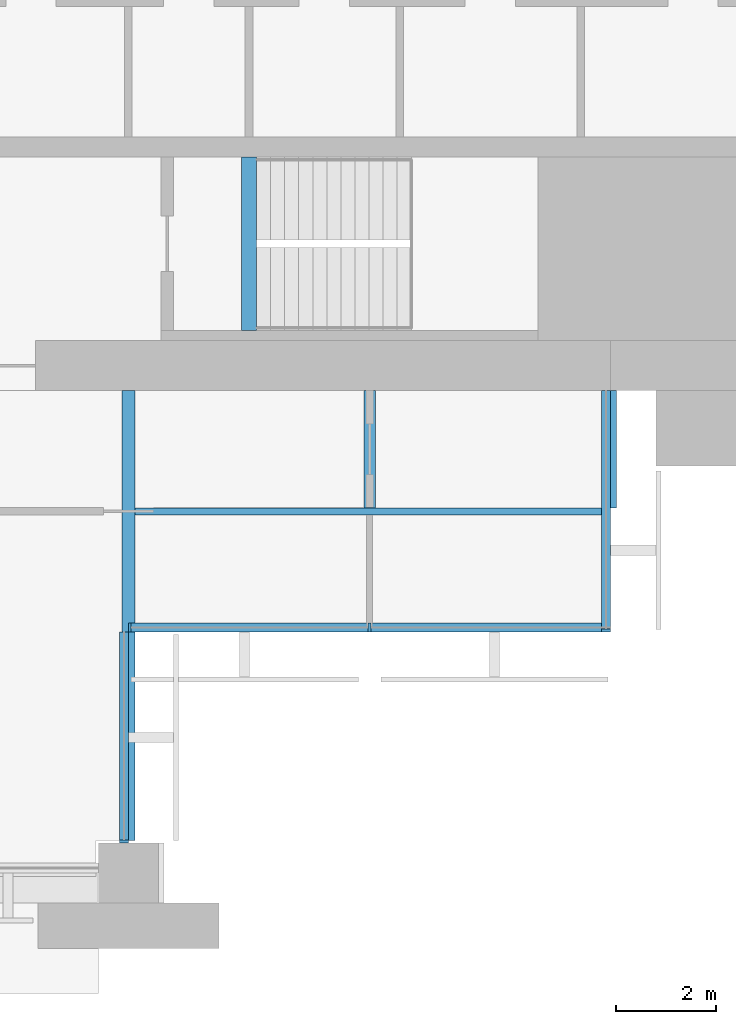
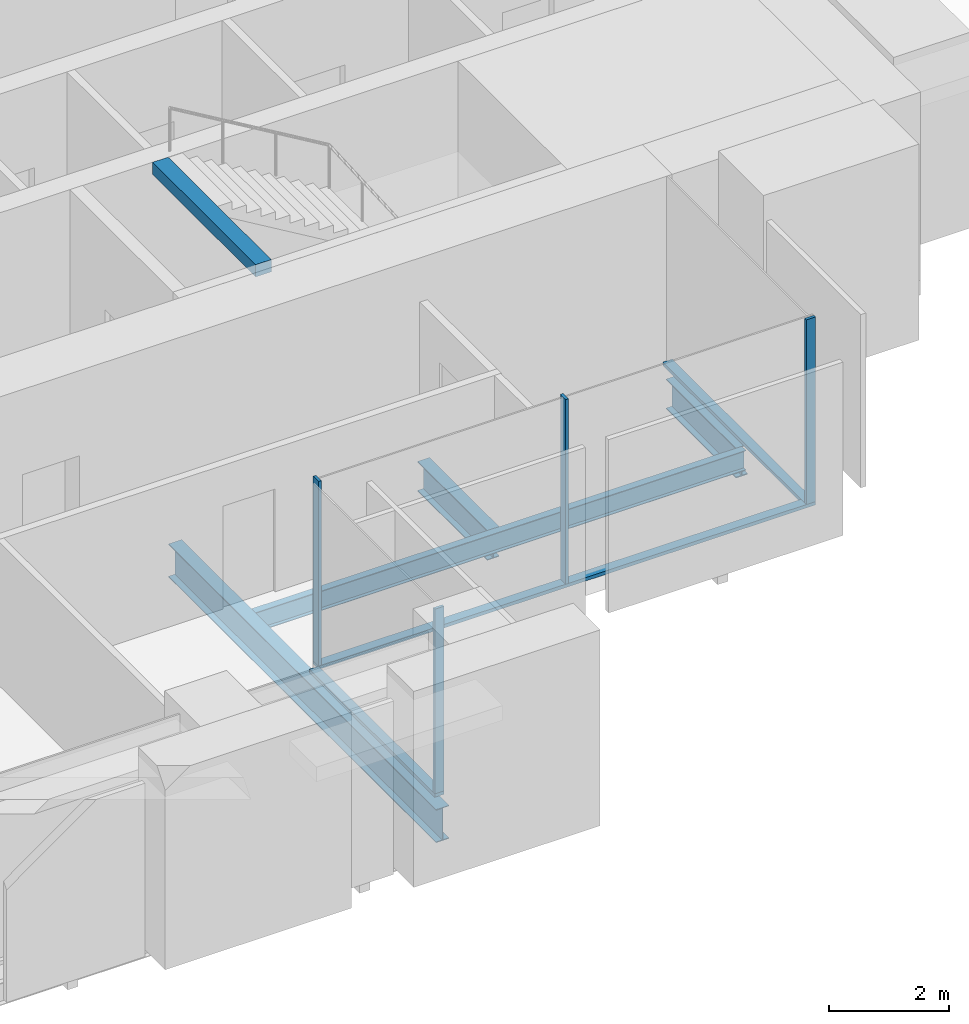
# One storey, part 4 of 15: 7 members, 5 beams, 3 elements without a shape of their own.
"""IFC4 building model written with IfcOpenShell, lengths in metres."""

from ifc_helpers import new_model, si_unit, direction, frame, origin, origin_2d, place, context, subcontext, project, spatial, rectangle, i_section, extrude, material, material_profile, profile_set, type_object, element, aggregate, save


model = new_model("IFC4")

# Units and contexts
model_context = context("Model", 3, precision=1e-05, world=origin(), true_north=direction((0.0, 1.0)))
body_context = subcontext(model_context, "Body", "Model", "MODEL_VIEW")
ifc_project = project(units=[si_unit("LENGTHUNIT", "METRE"), si_unit("AREAUNIT", "SQUARE_METRE"), si_unit("VOLUMEUNIT", "CUBIC_METRE"), si_unit("PLANEANGLEUNIT", "RADIAN"), si_unit("MASSUNIT", "GRAM", prefix="KILO")], contexts=[model_context])

# Site, building, storey
site_placement = place(None, origin())
site = spatial("IfcSite", under=ifc_project, at=site_placement, CompositionType="ELEMENT")
building_placement = place(site_placement, origin())
building = spatial("IfcBuilding", under=site, at=building_placement, Name="Baori Bourse Tower", CompositionType="ELEMENT")
storey_placement = place(building_placement, frame((0.0, 0.0, 104.10009765625)))
storey = spatial("IfcBuildingStorey", under=building, at=storey_placement, Name="L21", CompositionType="ELEMENT", Elevation=104.10009765625)

# Curtain wall, member
ifc_material_1 = material(Name="Pale anodised aluminium", Category="aluminium")
curtain_wall_type = type_object("IfcCurtainWallType", Name="CW2 Curtain wall", PredefinedType="NOTDEFINED", material=ifc_material_1)
curtain_wall_1_placement = place(storey_placement, origin())
curtain_wall_1 = element("IfcCurtainWall", 1, at=curtain_wall_1_placement, inside=storey, type_object=curtain_wall_type, Name="Curtain wall CW2 L21 16", PredefinedType="NOTDEFINED")
ifc_material_2 = material(Name="Pale anodised aluminium", Category="aluminium")
ifc_material_profile_1 = material_profile(ifc_material_2, rectangle(XDim=0.179931640625, YDim=0.054931640625, at=origin_2d()), Name="Mullion 55x180")
ifc_profile_set_1 = profile_set([ifc_material_profile_1], Name="Pale anodised aluminium")
member_type_1 = type_object("IfcMemberType", Name="CW2 Curtain wall mullion", PredefinedType="MULLION", material=ifc_profile_set_1)
member_1_placement = place(storey_placement, frame((43.110107421875, 0.62744140625, 0.06982421875), z_axis=(0.0, 0.0, 1.0), x_axis=(-1.0, 0.0, 0.0)))
member_1 = element("IfcMember", 2, at=member_1_placement, type_object=member_type_1, Name="Curtain wall CW2 mullion", PredefinedType="MULLION", context=body_context, shape_type="SweptSolid", body=[
    extrude(rectangle(XDim=0.179931640625, YDim=0.054931640625, at=origin_2d()), origin(), (0.0, 0.0, 1.0), 3.77001953125),
])

# Curtain wall, members
curtain_wall_2_placement = place(storey_placement, origin())
curtain_wall_2 = element("IfcCurtainWall", 3, at=curtain_wall_2_placement, inside=storey, type_object=curtain_wall_type, Name="Curtain wall CW2 L21 17", PredefinedType="NOTDEFINED")
member_2_placement = place(storey_placement, frame((43.2275390625, 4.889892578125, 0.06982421875), z_axis=(0.0, 0.0, 1.0), x_axis=(0.0, 1.0, 0.0)))
member_2 = element("IfcMember", 4, at=member_2_placement, type_object=member_type_1, Name="Curtain wall CW2 mullion", PredefinedType="MULLION", context=body_context, shape_type="SweptSolid", body=[
    extrude(rectangle(XDim=0.179931640625, YDim=0.054931640625, at=origin_2d()), origin(), (0.0, 0.0, 1.0), 3.77001953125),
])
member_3_placement = place(storey_placement, frame((48.0, 4.889892578125, 0.06982421875), z_axis=(0.0, 0.0, 1.0), x_axis=(0.0, 1.0, 0.0)))
member_3 = element("IfcMember", 5, at=member_3_placement, type_object=member_type_1, Name="Curtain wall CW2 mullion", PredefinedType="MULLION", context=body_context, shape_type="SweptSolid", body=[
    extrude(rectangle(XDim=0.179931640625, YDim=0.054931640625, at=origin_2d()), origin(), (0.0, 0.0, 1.0), 3.77001953125),
])

# Curtain wall, member
curtain_wall_3_placement = place(storey_placement, origin())
curtain_wall_3 = element("IfcCurtainWall", 6, at=curtain_wall_3_placement, inside=storey, type_object=curtain_wall_type, Name="Curtain wall CW2 L21 18", PredefinedType="NOTDEFINED")
member_4_placement = place(storey_placement, frame((52.7099609375, 4.827392578125, 0.06982421875), z_axis=(0.0, 0.0, 1.0), x_axis=(-1.0, 0.0, 0.0)))
member_4 = element("IfcMember", 7, at=member_4_placement, type_object=member_type_1, Name="Curtain wall CW2 mullion", PredefinedType="MULLION", context=body_context, shape_type="SweptSolid", body=[
    extrude(rectangle(XDim=0.179931640625, YDim=0.054931640625, at=origin_2d()), origin(), (0.0, 0.0, 1.0), 3.77001953125),
])

# Member
ifc_material_3 = material(Name="Pale anodised aluminium", Category="aluminium")
ifc_material_profile_2 = material_profile(ifc_material_3, rectangle(XDim=0.179931640625, YDim=0.070068359375, at=origin_2d()), Name="Transom 70x180")
ifc_profile_set_2 = profile_set([ifc_material_profile_2], Name="Pale anodised aluminium")
member_type_2 = type_object("IfcMemberType", Name="CW2 Curtain wall transom", PredefinedType="USERDEFINED", material=ifc_profile_set_2)
member_5_placement = place(storey_placement, frame((43.110107421875, 0.60009765625, 0.034912109375), z_axis=(0.0, 1.0, 0.0), x_axis=(-1.0, 0.0, 0.0)))
member_5 = element("IfcMember", 8, at=member_5_placement, type_object=member_type_2, Name="Curtain wall CW2 sill rail", ObjectType="TRANSOM", PredefinedType="USERDEFINED", context=body_context, shape_type="SweptSolid", body=[
    extrude(rectangle(XDim=0.179931640625, YDim=0.070068359375, at=origin_2d()), origin(), (0.0, 0.0, 1.0), 4.199951171875),
])

aggregate(curtain_wall_1, [member_5, member_1])

member_6_placement = place(storey_placement, frame((43.199951171875, 4.889892578125, 0.034912109375), z_axis=(1.0, 0.0, 0.0), x_axis=(0.0, 1.0, 0.0)))
member_6 = element("IfcMember", 9, at=member_6_placement, type_object=member_type_2, Name="Curtain wall CW2 sill rail", ObjectType="TRANSOM", PredefinedType="USERDEFINED", context=body_context, shape_type="SweptSolid", body=[
    extrude(rectangle(XDim=0.179931640625, YDim=0.070068359375, at=origin_2d()), origin(), (0.0, 0.0, 1.0), 9.60009765625),
])

aggregate(curtain_wall_2, [member_6, member_2, member_3])

member_7_placement = place(storey_placement, frame((52.7099609375, 4.800048828125, 0.034912109375), z_axis=(0.0, 1.0, 0.0), x_axis=(-1.0, 0.0, 0.0)))
member_7 = element("IfcMember", 10, at=member_7_placement, type_object=member_type_2, Name="Curtain wall CW2 sill rail", ObjectType="TRANSOM", PredefinedType="USERDEFINED", context=body_context, shape_type="SweptSolid", body=[
    extrude(rectangle(XDim=0.179931640625, YDim=0.070068359375, at=origin_2d()), origin(), (0.0, 0.0, 1.0), 4.800048828125),
])

aggregate(curtain_wall_3, [member_7, member_4])

# Beams
ifc_material_4 = material(Name="Steel A992 Gr 50", Category="steel")
ifc_material_profile_3 = material_profile(ifc_material_4, i_section(OverallWidth=0.22900390625, OverallDepth=0.612060546875, WebThickness=0.011962890625, FlangeThickness=0.01953125, at=origin_2d()), Name="W24x84")
ifc_profile_set_3 = profile_set([ifc_material_profile_3], Name="Steel A992 Gr 50")
beam_type_1 = type_object("IfcBeamType", Name="Core bracket W24x84", PredefinedType="BEAM", material=ifc_profile_set_3)
for number, where, z_axis, x_axis, name in (
    (11, (48.0, 7.270263671875, -0.606201171875), (0.0, 1.0, 0.0), (-1.0, 0.0, 0.0), "Core bracket L21"),
    (12, (52.800048828125, 7.270263671875, -0.606201171875), (0.0, 1.0, 0.0), (-1.0, 0.0, 0.0), "Core bracket L21"),
):
    element("IfcBeam", number, at=place(storey_placement, frame(where, z_axis=z_axis, x_axis=x_axis)), inside=storey, type_object=beam_type_1, Name=name, PredefinedType="BEAM", context=body_context, shape_type="SweptSolid", body=[
        extrude(i_section(OverallWidth=0.22900390625, OverallDepth=0.612060546875, WebThickness=0.011962890625, FlangeThickness=0.01953125, at=origin_2d()), origin(), (0.0, 0.0, 1.0), 2.329833984375),
    ])
ifc_material_5 = material(Name="Steel A992 Gr 50", Category="steel")
ifc_material_profile_4 = material_profile(ifc_material_5, i_section(OverallWidth=0.25390625, OverallDepth=0.67822265625, WebThickness=0.01171875, FlangeThickness=0.016357421875, at=origin_2d()), Name="W27x84")
ifc_profile_set_4 = profile_set([ifc_material_profile_4], Name="Steel A992 Gr 50")
beam_type_2 = type_object("IfcBeamType", Name="Floor beam W27x84", PredefinedType="BEAM", material=ifc_profile_set_4)
beam_1_placement = place(storey_placement, frame((43.199951171875, 0.64990234375, -0.63916015625), z_axis=(0.0, 1.0, 0.0), x_axis=(-1.0, 0.0, 0.0)))
element("IfcBeam", 13, at=beam_1_placement, inside=storey, type_object=beam_type_2, Name="Floor beam L21", PredefinedType="BEAM", context=body_context, shape_type="SweptSolid", body=[
    extrude(i_section(OverallWidth=0.25390625, OverallDepth=0.67822265625, WebThickness=0.01171875, FlangeThickness=0.016357421875, at=origin_2d()), origin(), (0.0, 0.0, 1.0), 8.9501953125),
])
ifc_material_6 = material(Name="Concrete f'c 50 MPa", Category="concrete")
ifc_material_profile_5 = material_profile(ifc_material_6, rectangle(XDim=0.300048828125, YDim=0.25, at=origin_2d()), Name="RC 300x250")
ifc_profile_set_5 = profile_set([ifc_material_profile_5], Name="Concrete f'c 50 MPa")
beam_type_3 = type_object("IfcBeamType", Name="Stair nib beam RC 300x250", PredefinedType="BEAM", material=ifc_profile_set_5)
beam_2_placement = place(storey_placement, frame((45.60009765625, 10.800048828125, 3.71484375), z_axis=(0.0, 1.0, 0.0), x_axis=(-1.0, 0.0, 0.0)))
element("IfcBeam", 14, at=beam_2_placement, inside=storey, type_object=beam_type_3, Name="Stair EA nib beam L22", PredefinedType="BEAM", context=body_context, shape_type="SweptSolid", body=[
    extrude(rectangle(XDim=0.300048828125, YDim=0.25, at=origin_2d()), origin(), (0.0, 0.0, 1.0), 3.449951171875),
])
ifc_material_7 = material(Name="Steel A992 Gr 50", Category="steel")
ifc_material_profile_6 = material_profile(ifc_material_7, i_section(OverallWidth=0.140380859375, OverallDepth=0.40380859375, WebThickness=0.007080078125, FlangeThickness=0.01123046875, at=origin_2d()), Name="W16x31")
ifc_profile_set_6 = profile_set([ifc_material_profile_6], Name="Steel A992 Gr 50")
beam_type_4 = type_object("IfcBeamType", Name="Trimmer beam W16x31", PredefinedType="BEAM", material=ifc_profile_set_6)
beam_3_placement = place(storey_placement, frame((43.326904296875, 7.199951171875, -0.501953125), z_axis=(1.0, 0.0, 0.0), x_axis=(0.0, 1.0, 0.0)))
element("IfcBeam", 15, at=beam_3_placement, inside=storey, type_object=beam_type_4, Name="Trimmer beam L21", PredefinedType="BEAM", context=body_context, shape_type="SweptSolid", body=[
    extrude(i_section(OverallWidth=0.140380859375, OverallDepth=0.40380859375, WebThickness=0.007080078125, FlangeThickness=0.01123046875, at=origin_2d()), origin(), (0.0, 0.0, 1.0), 9.47314453125),
])

save(model, "model.ifc")
